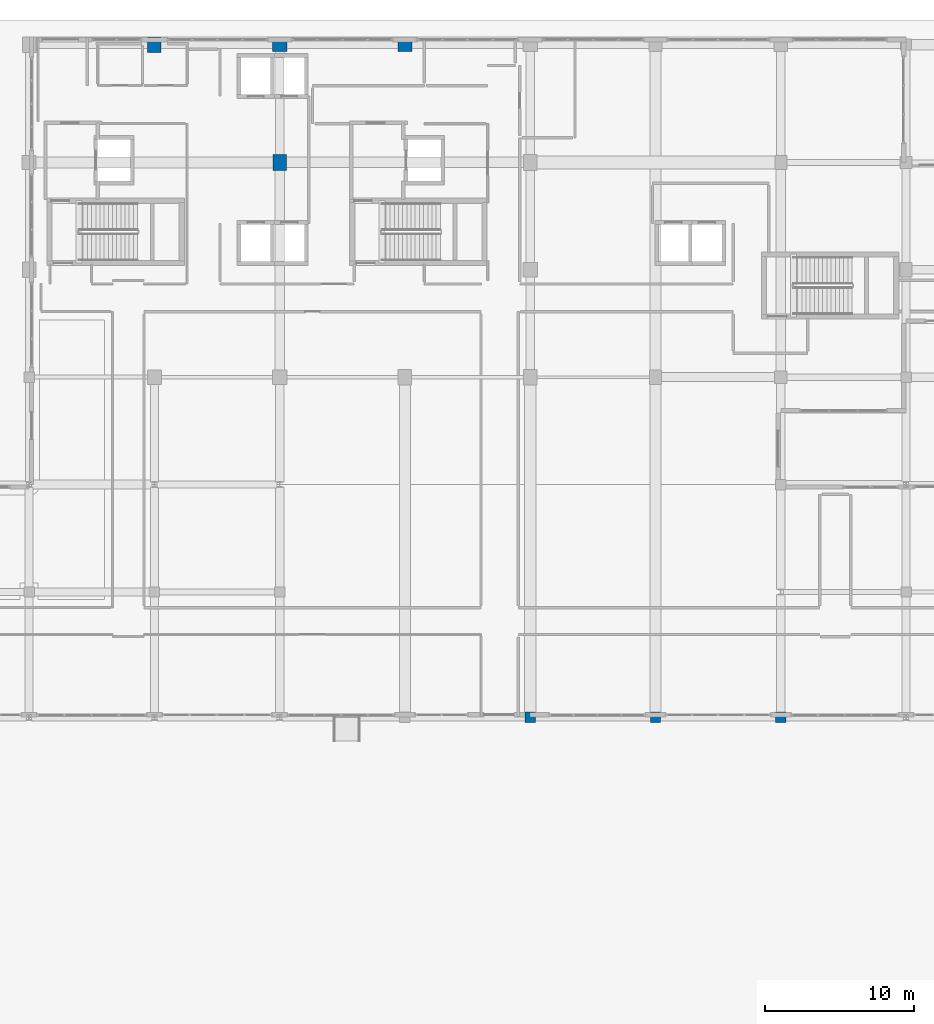
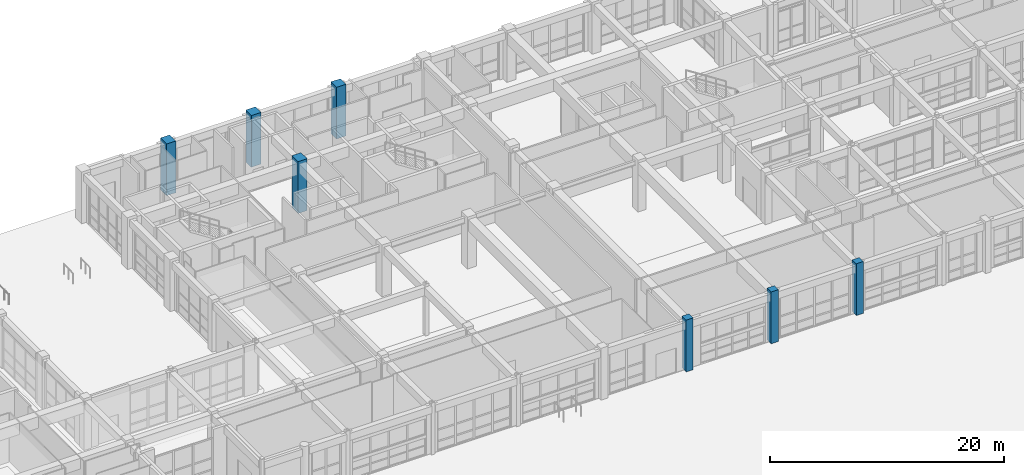
# One storey, part 9 of 148: 7 columns.
"""IFC4 building model written with IfcOpenShell, lengths in metres."""

from ifc_helpers import new_model, si_unit, direction, frame, origin, origin_2d, place, context, subcontext, project, spatial, rectangle, extrude, material, material_profile, profile_set, type_object, element, save


model = new_model("IFC4")

# Units and contexts
model_context = context("Model", 3, precision=1e-05, world=origin(), true_north=direction((0.0, 1.0)))
body_context = subcontext(model_context, "Body", "Model", "MODEL_VIEW")
ifc_project = project(units=[si_unit("LENGTHUNIT", "METRE"), si_unit("AREAUNIT", "SQUARE_METRE"), si_unit("VOLUMEUNIT", "CUBIC_METRE"), si_unit("PLANEANGLEUNIT", "RADIAN"), si_unit("MASSUNIT", "GRAM", prefix="KILO")], contexts=[model_context])

# Site, building, storey
site_placement = place(None, origin())
site = spatial("IfcSite", under=ifc_project, at=site_placement, CompositionType="ELEMENT")
building_placement = place(site_placement, origin())
building = spatial("IfcBuilding", under=site, at=building_placement, Name="Quendrovan Civic Courthouse", CompositionType="ELEMENT")
storey_placement = place(building_placement, origin())
storey = spatial("IfcBuildingStorey", under=building, at=storey_placement, Name="L01", CompositionType="ELEMENT", Elevation=0.0)

# Columns
ifc_material = material(Name="Concrete C45/55", Category="concrete")
ifc_material_profile_1 = material_profile(ifc_material, rectangle(XDim=0.89990234375, YDim=1.050048828125, at=origin_2d()), Name="RC-COL-900x1050")
ifc_profile_set_1 = profile_set([ifc_material_profile_1], Name="Concrete C45/55")
column_type_1 = type_object("IfcColumnType", Name="COL-RC-900x1050", PredefinedType="COLUMN", material=ifc_profile_set_1)
for number, where, z_axis, x_axis, name in (
    (1, (42.0, 109.89990234375, 0.0), (0.0, 0.0, 1.0), (1.0, 0.0, 0.0), "L01 Column 6-Q"),
    (2, (50.39990234375, 102.0, 0.0), (0.0, 0.0, 1.0), (1.0, 0.0, 0.0), "L01 Column 7-P"),
):
    element("IfcColumn", number, at=place(storey_placement, frame(where, z_axis=z_axis, x_axis=x_axis)), inside=storey, type_object=column_type_1, Name=name, PredefinedType="COLUMN", context=body_context, shape_type="SweptSolid", body=[
        extrude(rectangle(XDim=0.89990234375, YDim=1.050048828125, at=origin_2d()), origin(), (0.0, 0.0, 1.0), 5.39990234375),
    ])
ifc_material_profile_2 = material_profile(ifc_material, rectangle(XDim=0.699951171875, YDim=0.699951171875, at=origin_2d()), Name="RC-COL-700x700")
ifc_profile_set_2 = profile_set([ifc_material_profile_2], Name="Concrete C45/55")
column_type_2 = type_object("IfcColumnType", Name="COL-RC700", PredefinedType="COLUMN", material=ifc_profile_set_2)
for number, where, z_axis, x_axis, name in (
    (3, (67.199951171875, 64.800048828125, 0.0), (0.0, 0.0, 1.0), (1.0, 0.0, 0.0), "L01 Column 9-J"),
    (4, (75.60009765625, 64.800048828125, 0.0), (0.0, 0.0, 1.0), (1.0, 0.0, 0.0), "L01 Column 10-J"),
    (5, (84.0, 64.800048828125, 0.0), (0.0, 0.0, 1.0), (1.0, 0.0, 0.0), "L01 Column 11-J"),
):
    element("IfcColumn", number, at=place(storey_placement, frame(where, z_axis=z_axis, x_axis=x_axis)), inside=storey, type_object=column_type_2, Name=name, PredefinedType="COLUMN", context=body_context, shape_type="SweptSolid", body=[
        extrude(rectangle(XDim=0.699951171875, YDim=0.699951171875, at=origin_2d()), origin(), (0.0, 0.0, 1.0), 5.39990234375),
    ])
ifc_material_profile_3 = material_profile(ifc_material, rectangle(XDim=0.949951171875, YDim=0.949951171875, at=origin_2d()), Name="RC-COL-950x950")
ifc_profile_set_3 = profile_set([ifc_material_profile_3], Name="Concrete C45/55")
column_type_3 = type_object("IfcColumnType", Name="COL-RC950", PredefinedType="COLUMN", material=ifc_profile_set_3)
for number, where, z_axis, x_axis, name in (
    (6, (50.39990234375, 109.89990234375, 0.0), (0.0, 0.0, 1.0), (1.0, 0.0, 0.0), "L01 Column 7-Q"),
    (7, (58.800048828125, 109.89990234375, 0.0), (0.0, 0.0, 1.0), (1.0, 0.0, 0.0), "L01 Column 8-Q"),
):
    element("IfcColumn", number, at=place(storey_placement, frame(where, z_axis=z_axis, x_axis=x_axis)), inside=storey, type_object=column_type_3, Name=name, PredefinedType="COLUMN", context=body_context, shape_type="SweptSolid", body=[
        extrude(rectangle(XDim=0.949951171875, YDim=0.949951171875, at=origin_2d()), origin(), (0.0, 0.0, 1.0), 5.39990234375),
    ])

save(model, "model.ifc")
